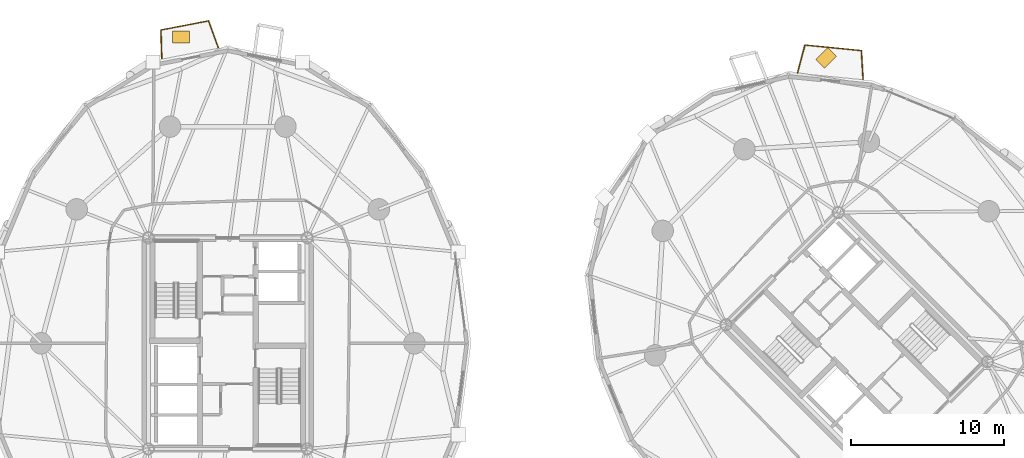
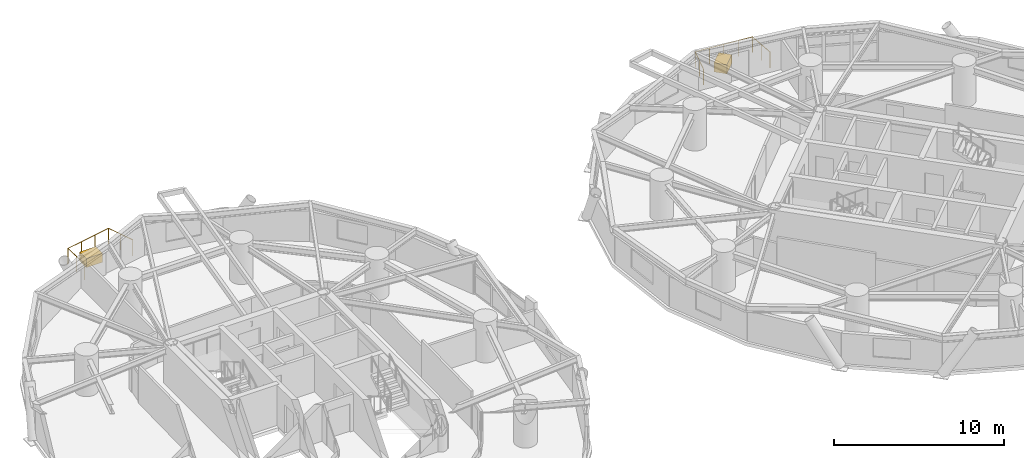
# One storey, part 18 of 18: 2 coverings, 2 railings.
"""IFC4 building model written with IfcOpenShell, lengths in metres."""

from ifc_helpers import new_model, si_unit, direction, frame, origin, origin_2d, place, context, subcontext, project, spatial, rectangle, circle, extrude, source, transform, mapped, material, layer, layer_set, type_object, element, save


model = new_model("IFC4")

# Units and contexts
model_context = context("Model", 3, precision=1e-05, world=origin(), true_north=direction((0.0, 1.0)))
body_context = subcontext(model_context, "Body", "Model", "MODEL_VIEW")
ifc_project = project(units=[si_unit("LENGTHUNIT", "METRE"), si_unit("AREAUNIT", "SQUARE_METRE"), si_unit("VOLUMEUNIT", "CUBIC_METRE"), si_unit("PLANEANGLEUNIT", "RADIAN"), si_unit("MASSUNIT", "GRAM", prefix="KILO")], contexts=[model_context])

# Site, building, storey
site_placement = place(None, origin())
site = spatial("IfcSite", under=ifc_project, at=site_placement, CompositionType="ELEMENT")
building_placement = place(site_placement, origin())
building = spatial("IfcBuilding", under=site, at=building_placement, Name="Cununo Teusaquillo Station Towers", CompositionType="ELEMENT")
storey_placement = place(building_placement, frame((0.0, 0.0, 75.969970703125)))
storey = spatial("IfcBuildingStorey", under=building, at=storey_placement, Name="L23", CompositionType="ELEMENT", Elevation=75.969970703125)

# Railings
ifc_material_1 = material(Name="Anodised dark bronze aluminium EN AW-6063-T6", Category="aluminium")
railing_type = type_object("IfcRailingType", Name="RL-EXT-GUARD", PredefinedType="GUARDRAIL", material=ifc_material_1)
railing_1_placement = place(storey_placement, frame((12.20166015625, 43.060546875, 0.0)))
element("IfcRailing", 1, at=railing_1_placement, inside=storey, type_object=railing_type, Name="L23 Tower A Balcony Guardrail C05", PredefinedType="GUARDRAIL", context=body_context, shape_type="SweptSolid", body=[
    extrude(circle(Radius=0.02392578125, at=origin_2d()), frame((0.0, 0.0, 1.1259765625), z_axis=(-0.030662031384, 0.999529809376, 0.0), x_axis=(-0.999529809376, -0.030662031384, 0.0)), (0.0, 0.0, 1.0), 1.86328125),
    extrude(circle(Radius=0.02392578125, at=origin_2d()), frame((-0.05712890625, 1.8623046875, 1.1259765625), z_axis=(0.981834317938, 0.189740275429, 0.0), x_axis=(-0.189740275429, 0.981834317938, 0.0)), (0.0, 0.0, 1.0), 3.15380859375),
    extrude(circle(Radius=0.02392578125, at=origin_2d()), frame((3.039306640625, 2.460693359375, 1.1259765625), z_axis=(0.343962021681, -0.9389835609, 0.0), x_axis=(0.9389835609, 0.343962021681, 0.0)), (0.0, 0.0, 1.0), 1.86328125),
    extrude(circle(Radius=0.02099609375, at=origin_2d()), origin(), (0.0, 0.0, 1.0), 1.101806640625),
    extrude(circle(Radius=0.02099609375, at=origin_2d()), frame((-0.028564453125, 0.93115234375, 0.0)), (0.0, 0.0, 1.0), 1.101806640625),
    extrude(circle(Radius=0.02099609375, at=origin_2d()), frame((-0.05712890625, 1.8623046875, 0.0)), (0.0, 0.0, 1.0), 1.101806640625),
    extrude(circle(Radius=0.02099609375, at=origin_2d()), frame((0.97509765625, 2.061767578125, 0.0)), (0.0, 0.0, 1.0), 1.101806640625),
    extrude(circle(Radius=0.02099609375, at=origin_2d()), frame((2.007080078125, 2.26123046875, 0.0)), (0.0, 0.0, 1.0), 1.101806640625),
    extrude(circle(Radius=0.02099609375, at=origin_2d()), frame((3.039306640625, 2.460693359375, 0.0)), (0.0, 0.0, 1.0), 1.101806640625),
    extrude(circle(Radius=0.02099609375, at=origin_2d()), frame((3.35986328125, 1.5859375, 0.0)), (0.0, 0.0, 1.0), 1.101806640625),
    extrude(circle(Radius=0.02099609375, at=origin_2d()), frame((3.68017578125, 0.711181640625, 0.0)), (0.0, 0.0, 1.0), 1.101806640625),
])
railing_2_placement = place(storey_placement, frame((53.64697265625, 42.13671875, 0.0)))
element("IfcRailing", 2, at=railing_2_placement, inside=storey, type_object=railing_type, Name="L23 Tower B Balcony Guardrail C02", PredefinedType="GUARDRAIL", context=body_context, shape_type="SweptSolid", body=[
    extrude(circle(Radius=0.02392578125, at=origin_2d()), frame((0.0, 0.0, 1.1259765625), z_axis=(0.255835186295, 0.966720413281, 0.0), x_axis=(-0.966720413281, 0.255835186295, 0.0)), (0.0, 0.0, 1.0), 1.871337890625),
    extrude(circle(Radius=0.02392578125, at=origin_2d()), frame((0.478759765625, 1.80908203125, 1.1259765625), z_axis=(0.99512777892, -0.098593628704, 0.0), x_axis=(0.098593628704, 0.99512777892, 0.0)), (0.0, 0.0, 1.0), 3.692138671875),
    extrude(circle(Radius=0.02392578125, at=origin_2d()), frame((4.15283203125, 1.445068359375, 1.1259765625), z_axis=(0.061184331575, -0.998126483753, 0.0), x_axis=(0.998126483753, 0.061184331575, 0.0)), (0.0, 0.0, 1.0), 1.871337890625),
    extrude(circle(Radius=0.02099609375, at=origin_2d()), origin(), (0.0, 0.0, 1.0), 1.101806640625),
    extrude(circle(Radius=0.02099609375, at=origin_2d()), frame((0.2392578125, 0.904541015625, 0.0)), (0.0, 0.0, 1.0), 1.101806640625),
    extrude(circle(Radius=0.02099609375, at=origin_2d()), frame((0.478759765625, 1.80908203125, 0.0)), (0.0, 0.0, 1.0), 1.101806640625),
    extrude(circle(Radius=0.02099609375, at=origin_2d()), frame((1.397216796875, 1.718017578125, 0.0)), (0.0, 0.0, 1.0), 1.101806640625),
    extrude(circle(Radius=0.02099609375, at=origin_2d()), frame((2.31591796875, 1.626953125, 0.0)), (0.0, 0.0, 1.0), 1.101806640625),
    extrude(circle(Radius=0.02099609375, at=origin_2d()), frame((3.234375, 1.5361328125, 0.0)), (0.0, 0.0, 1.0), 1.101806640625),
    extrude(circle(Radius=0.02099609375, at=origin_2d()), frame((4.15283203125, 1.445068359375, 0.0)), (0.0, 0.0, 1.0), 1.101806640625),
    extrude(circle(Radius=0.02099609375, at=origin_2d()), frame((4.2099609375, 0.51123046875, 0.0)), (0.0, 0.0, 1.0), 1.101806640625),
    extrude(circle(Radius=0.02099609375, at=origin_2d()), frame((4.267333984375, -0.4228515625, 0.0)), (0.0, 0.0, 1.0), 1.101806640625),
])

# Coverings
ifc_material_2 = material(Name="Architectural GRC planter shell and engineered root-zone substrate", Category="concrete")
ifc_layer = layer(ifc_material_2, 0.64990234375)
ifc_layer_set = layer_set([ifc_layer], Name="Architectural GRC planter shell and engineered root-zone substrate")
covering_type = type_object("IfcCoveringType", Name="COV-TREE-PLANTER", PredefinedType="CLADDING", material=ifc_layer_set)
shared_shape = source(origin(), body_context, "Body", "SweptSolid", [
    extrude(rectangle(XDim=1.10009765625, YDim=0.800048828125, at=origin_2d()), origin(), (0.0, 0.0, 1.0), 0.64990234375),
])
for number, where, z_axis, x_axis, name in (
    (3, (13.4462890625, 44.468505859375, 0.0), (0.0, 0.0, 1.0), (1.0, 0.0, 0.0), "L23 Tower A Balcony Tree PLANTER C05"),
    (4, (55.510986328125, 43.107666015625, 0.0), (0.0, 0.0, 1.0), (0.707106781187, 0.707106781187, 0.0), "L23 Tower B Balcony Tree PLANTER C02"),
):
    element("IfcCovering", number, at=place(storey_placement, frame(where, z_axis=z_axis, x_axis=x_axis)), inside=storey, type_object=covering_type, Name=name, PredefinedType="CLADDING", context=body_context, shape_type="MappedRepresentation", body=[
        mapped(shared_shape, transform((0.0, 0.0, 0.0), x_axis=(1.0, 0.0, 0.0), y_axis=(0.0, 1.0, 0.0), z_axis=(0.0, 0.0, 1.0), scale=1.0)),
    ])

save(model, "model.ifc")
